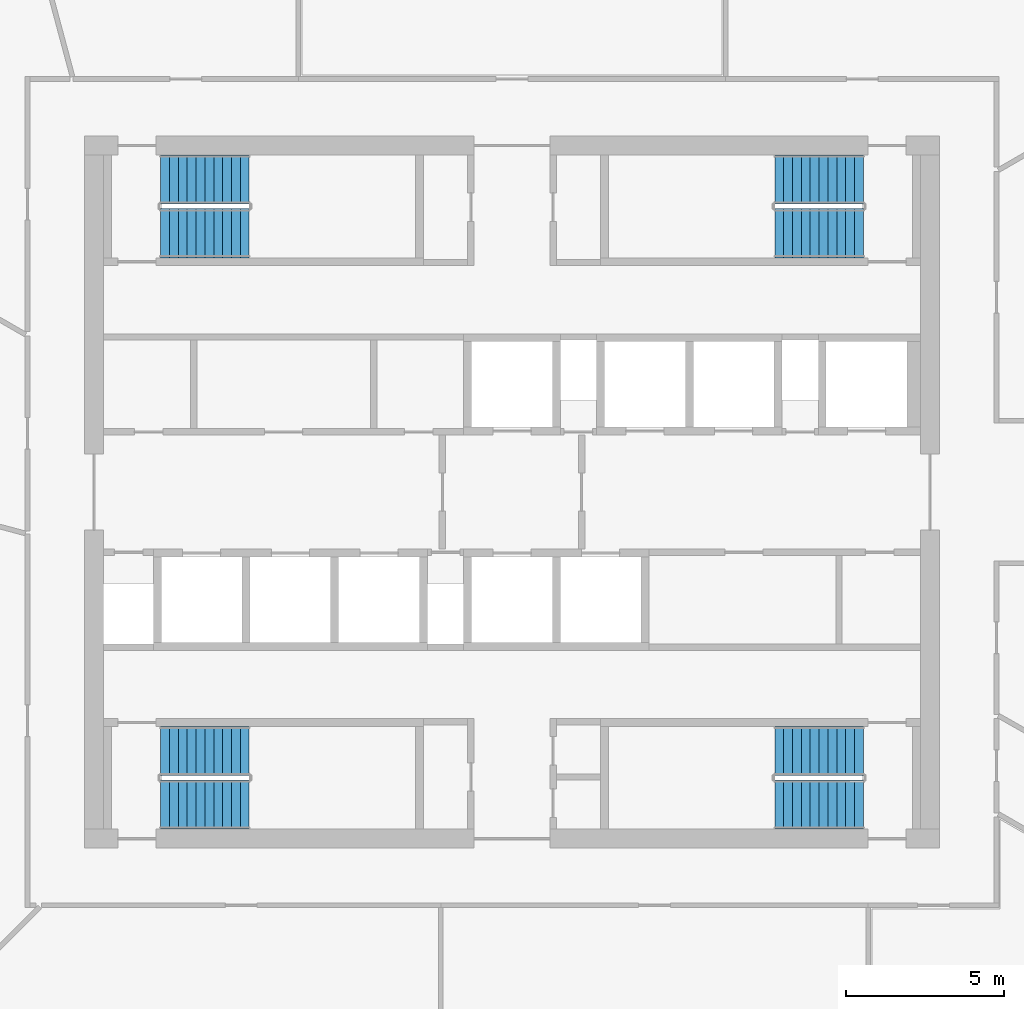
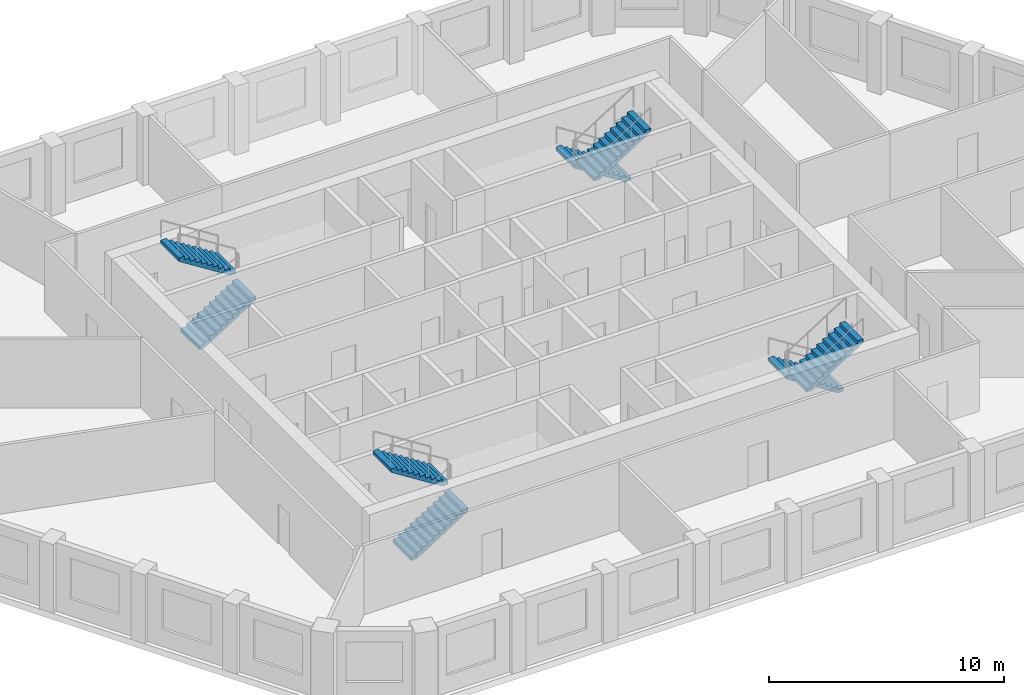
# One storey, part 7 of 10: 8 stair flights, 4 elements without a shape of their own.
"""IFC4 building model written with IfcOpenShell, lengths in metres."""

from ifc_helpers import new_model, si_unit, direction, frame, origin, place, context, subcontext, project, spatial, polyline, outline, extrude, material, type_object, element, aggregate, save


model = new_model("IFC4")

# Units and contexts
model_context = context("Model", 3, precision=1e-05, world=origin(), true_north=direction((0.0, 1.0)))
body_context = subcontext(model_context, "Body", "Model", "MODEL_VIEW")
ifc_project = project(units=[si_unit("LENGTHUNIT", "METRE"), si_unit("AREAUNIT", "SQUARE_METRE"), si_unit("VOLUMEUNIT", "CUBIC_METRE"), si_unit("PLANEANGLEUNIT", "RADIAN"), si_unit("MASSUNIT", "GRAM", prefix="KILO")], contexts=[model_context])

# Site, building, storey
site_placement = place(None, origin())
site = spatial("IfcSite", under=ifc_project, at=site_placement, CompositionType="ELEMENT")
building_placement = place(site_placement, origin())
building = spatial("IfcBuilding", under=site, at=building_placement, Name="Dhurran Vertical Campus", CompositionType="ELEMENT")
storey_placement = place(building_placement, frame((0.0, 0.0, 250.800048828125)))
storey = spatial("IfcBuildingStorey", under=building, at=storey_placement, Name="L62", CompositionType="ELEMENT", Elevation=250.800048828125)

# Stair, stair flights
ifc_material_1 = material(Name="Concrete C40/50", Category="concrete")
stair_type = type_object("IfcStairType", Name="co-ST-CORE", PredefinedType="HALF_TURN_STAIR", material=ifc_material_1)
stair_1_placement = place(storey_placement, origin())
stair_1 = element("IfcStair", 1, at=stair_1_placement, inside=storey, type_object=stair_type, Name="L62 Protected exit stair ST1", PredefinedType="HALF_TURN_STAIR")
ifc_material_2 = material(Name="Concrete C40/50", Category="concrete")
stair_flight_type = type_object("IfcStairFlightType", Name="co-SFL-RC", PredefinedType="STRAIGHT", material=ifc_material_2)
stair_flight_1_placement = place(storey_placement, frame((-11.10009765625, 8.175048828125, 0.0), z_axis=(0.0, 0.0, 1.0), x_axis=(1.0, 0.0, 0.0)))
stair_flight_1 = element("IfcStairFlight", 2, at=stair_flight_1_placement, type_object=stair_flight_type, Name="ST1 flight 1", NumberOfRisers=11, NumberOfTreads=10, PredefinedType="STRAIGHT", RiserHeight=0.177272727, TreadLength=0.28, context=body_context, shape_type="SweptSolid", body=[
    extrude(outline(polyline([(0.0, 0.0), (0.0, 0.17724609375), (0.280029296875, 0.17724609375), (0.280029296875, 0.3544921875), (0.56005859375, 0.3544921875), (0.56005859375, 0.53173828125), (0.840087890625, 0.53173828125), (0.840087890625, 0.708984375), (1.1201171875, 0.708984375), (1.1201171875, 0.886474609375), (1.39990234375, 0.886474609375), (1.39990234375, 1.063720703125), (1.679931640625, 1.063720703125), (1.679931640625, 1.240966796875), (1.9599609375, 1.240966796875), (1.9599609375, 1.418212890625), (2.239990234375, 1.418212890625), (2.239990234375, 1.595458984375), (2.52001953125, 1.595458984375), (2.52001953125, 1.772705078125), (2.800048828125, 1.772705078125), (2.800048828125, 1.949951171875), (2.800048828125, 1.59521484375), (0.2802734375, 0.0), (0.0, 0.0)])), frame((0.0, 0.77490234375, 0.0), z_axis=(0.0, -1.0, 0.0), x_axis=(1.0, 0.0, 0.0)), (0.0, 0.0, 1.0), 1.550048828125),
])
stair_flight_2_placement = place(storey_placement, frame((-8.300048828125, 9.875, 1.949951171875), z_axis=(0.0, 0.0, 1.0), x_axis=(-1.0, 0.0, 0.0)))
stair_flight_2 = element("IfcStairFlight", 3, at=stair_flight_2_placement, type_object=stair_flight_type, Name="ST1 flight 2", NumberOfRisers=11, NumberOfTreads=10, PredefinedType="STRAIGHT", RiserHeight=0.177272727, TreadLength=0.28, context=body_context, shape_type="SweptSolid", body=[
    extrude(outline(polyline([(0.0, 0.0), (0.0, 0.17724609375), (0.280029296875, 0.17724609375), (0.280029296875, 0.3544921875), (0.56005859375, 0.3544921875), (0.56005859375, 0.53173828125), (0.840087890625, 0.53173828125), (0.840087890625, 0.708984375), (1.1201171875, 0.708984375), (1.1201171875, 0.886474609375), (1.39990234375, 0.886474609375), (1.39990234375, 1.063720703125), (1.679931640625, 1.063720703125), (1.679931640625, 1.240966796875), (1.9599609375, 1.240966796875), (1.9599609375, 1.418212890625), (2.239990234375, 1.418212890625), (2.239990234375, 1.595458984375), (2.52001953125, 1.595458984375), (2.52001953125, 1.772705078125), (2.800048828125, 1.772705078125), (2.800048828125, 1.949951171875), (2.800048828125, 1.59521484375), (0.2802734375, 0.0), (0.0, 0.0)])), frame((0.0, 0.77490234375, 0.0), z_axis=(0.0, -1.0, 0.0), x_axis=(1.0, 0.0, 0.0)), (0.0, 0.0, 1.0), 1.550048828125),
])
aggregate(stair_1, [stair_flight_1, stair_flight_2])

stair_2_placement = place(storey_placement, origin())
stair_2 = element("IfcStair", 4, at=stair_2_placement, inside=storey, type_object=stair_type, Name="L62 Protected exit stair ST2", PredefinedType="HALF_TURN_STAIR")
stair_flight_3_placement = place(storey_placement, frame((11.10009765625, 9.875, 0.0), z_axis=(0.0, 0.0, 1.0), x_axis=(-1.0, 0.0, 0.0)))
stair_flight_3 = element("IfcStairFlight", 5, at=stair_flight_3_placement, type_object=stair_flight_type, Name="ST2 flight 1", NumberOfRisers=11, NumberOfTreads=10, PredefinedType="STRAIGHT", RiserHeight=0.177272727, TreadLength=0.28, context=body_context, shape_type="SweptSolid", body=[
    extrude(outline(polyline([(0.0, 0.0), (0.0, 0.17724609375), (0.280029296875, 0.17724609375), (0.280029296875, 0.3544921875), (0.56005859375, 0.3544921875), (0.56005859375, 0.53173828125), (0.840087890625, 0.53173828125), (0.840087890625, 0.708984375), (1.1201171875, 0.708984375), (1.1201171875, 0.886474609375), (1.39990234375, 0.886474609375), (1.39990234375, 1.063720703125), (1.679931640625, 1.063720703125), (1.679931640625, 1.240966796875), (1.9599609375, 1.240966796875), (1.9599609375, 1.418212890625), (2.239990234375, 1.418212890625), (2.239990234375, 1.595458984375), (2.52001953125, 1.595458984375), (2.52001953125, 1.772705078125), (2.800048828125, 1.772705078125), (2.800048828125, 1.949951171875), (2.800048828125, 1.59521484375), (0.2802734375, 0.0), (0.0, 0.0)])), frame((0.0, 0.77490234375, 0.0), z_axis=(0.0, -1.0, 0.0), x_axis=(1.0, 0.0, 0.0)), (0.0, 0.0, 1.0), 1.550048828125),
])
stair_flight_4_placement = place(storey_placement, frame((8.300048828125, 8.175048828125, 1.949951171875), z_axis=(0.0, 0.0, 1.0), x_axis=(1.0, 0.0, 0.0)))
stair_flight_4 = element("IfcStairFlight", 6, at=stair_flight_4_placement, type_object=stair_flight_type, Name="ST2 flight 2", NumberOfRisers=11, NumberOfTreads=10, PredefinedType="STRAIGHT", RiserHeight=0.177272727, TreadLength=0.28, context=body_context, shape_type="SweptSolid", body=[
    extrude(outline(polyline([(0.0, 0.0), (0.0, 0.17724609375), (0.280029296875, 0.17724609375), (0.280029296875, 0.3544921875), (0.56005859375, 0.3544921875), (0.56005859375, 0.53173828125), (0.840087890625, 0.53173828125), (0.840087890625, 0.708984375), (1.1201171875, 0.708984375), (1.1201171875, 0.886474609375), (1.39990234375, 0.886474609375), (1.39990234375, 1.063720703125), (1.679931640625, 1.063720703125), (1.679931640625, 1.240966796875), (1.9599609375, 1.240966796875), (1.9599609375, 1.418212890625), (2.239990234375, 1.418212890625), (2.239990234375, 1.595458984375), (2.52001953125, 1.595458984375), (2.52001953125, 1.772705078125), (2.800048828125, 1.772705078125), (2.800048828125, 1.949951171875), (2.800048828125, 1.59521484375), (0.2802734375, 0.0), (0.0, 0.0)])), frame((0.0, 0.77490234375, 0.0), z_axis=(0.0, -1.0, 0.0), x_axis=(1.0, 0.0, 0.0)), (0.0, 0.0, 1.0), 1.550048828125),
])
aggregate(stair_2, [stair_flight_3, stair_flight_4])

stair_3_placement = place(storey_placement, origin())
stair_3 = element("IfcStair", 7, at=stair_3_placement, inside=storey, type_object=stair_type, Name="L62 Protected exit stair ST3", PredefinedType="HALF_TURN_STAIR")
stair_flight_5_placement = place(storey_placement, frame((-11.10009765625, -9.875, 0.0), z_axis=(0.0, 0.0, 1.0), x_axis=(1.0, 0.0, 0.0)))
stair_flight_5 = element("IfcStairFlight", 8, at=stair_flight_5_placement, type_object=stair_flight_type, Name="ST3 flight 1", NumberOfRisers=11, NumberOfTreads=10, PredefinedType="STRAIGHT", RiserHeight=0.177272727, TreadLength=0.28, context=body_context, shape_type="SweptSolid", body=[
    extrude(outline(polyline([(0.0, 0.0), (0.0, 0.17724609375), (0.280029296875, 0.17724609375), (0.280029296875, 0.3544921875), (0.56005859375, 0.3544921875), (0.56005859375, 0.53173828125), (0.840087890625, 0.53173828125), (0.840087890625, 0.708984375), (1.1201171875, 0.708984375), (1.1201171875, 0.886474609375), (1.39990234375, 0.886474609375), (1.39990234375, 1.063720703125), (1.679931640625, 1.063720703125), (1.679931640625, 1.240966796875), (1.9599609375, 1.240966796875), (1.9599609375, 1.418212890625), (2.239990234375, 1.418212890625), (2.239990234375, 1.595458984375), (2.52001953125, 1.595458984375), (2.52001953125, 1.772705078125), (2.800048828125, 1.772705078125), (2.800048828125, 1.949951171875), (2.800048828125, 1.59521484375), (0.2802734375, 0.0), (0.0, 0.0)])), frame((0.0, 0.77490234375, 0.0), z_axis=(0.0, -1.0, 0.0), x_axis=(1.0, 0.0, 0.0)), (0.0, 0.0, 1.0), 1.550048828125),
])
stair_flight_6_placement = place(storey_placement, frame((-8.300048828125, -8.175048828125, 1.949951171875), z_axis=(0.0, 0.0, 1.0), x_axis=(-1.0, 0.0, 0.0)))
stair_flight_6 = element("IfcStairFlight", 9, at=stair_flight_6_placement, type_object=stair_flight_type, Name="ST3 flight 2", NumberOfRisers=11, NumberOfTreads=10, PredefinedType="STRAIGHT", RiserHeight=0.177272727, TreadLength=0.28, context=body_context, shape_type="SweptSolid", body=[
    extrude(outline(polyline([(0.0, 0.0), (0.0, 0.17724609375), (0.280029296875, 0.17724609375), (0.280029296875, 0.3544921875), (0.56005859375, 0.3544921875), (0.56005859375, 0.53173828125), (0.840087890625, 0.53173828125), (0.840087890625, 0.708984375), (1.1201171875, 0.708984375), (1.1201171875, 0.886474609375), (1.39990234375, 0.886474609375), (1.39990234375, 1.063720703125), (1.679931640625, 1.063720703125), (1.679931640625, 1.240966796875), (1.9599609375, 1.240966796875), (1.9599609375, 1.418212890625), (2.239990234375, 1.418212890625), (2.239990234375, 1.595458984375), (2.52001953125, 1.595458984375), (2.52001953125, 1.772705078125), (2.800048828125, 1.772705078125), (2.800048828125, 1.949951171875), (2.800048828125, 1.59521484375), (0.2802734375, 0.0), (0.0, 0.0)])), frame((0.0, 0.77490234375, 0.0), z_axis=(0.0, -1.0, 0.0), x_axis=(1.0, 0.0, 0.0)), (0.0, 0.0, 1.0), 1.550048828125),
])
aggregate(stair_3, [stair_flight_5, stair_flight_6])

stair_4_placement = place(storey_placement, origin())
stair_4 = element("IfcStair", 10, at=stair_4_placement, inside=storey, type_object=stair_type, Name="L62 Protected exit stair ST4", PredefinedType="HALF_TURN_STAIR")
stair_flight_7_placement = place(storey_placement, frame((11.10009765625, -8.175048828125, 0.0), z_axis=(0.0, 0.0, 1.0), x_axis=(-1.0, 0.0, 0.0)))
stair_flight_7 = element("IfcStairFlight", 11, at=stair_flight_7_placement, type_object=stair_flight_type, Name="ST4 flight 1", NumberOfRisers=11, NumberOfTreads=10, PredefinedType="STRAIGHT", RiserHeight=0.177272727, TreadLength=0.28, context=body_context, shape_type="SweptSolid", body=[
    extrude(outline(polyline([(0.0, 0.0), (0.0, 0.17724609375), (0.280029296875, 0.17724609375), (0.280029296875, 0.3544921875), (0.56005859375, 0.3544921875), (0.56005859375, 0.53173828125), (0.840087890625, 0.53173828125), (0.840087890625, 0.708984375), (1.1201171875, 0.708984375), (1.1201171875, 0.886474609375), (1.39990234375, 0.886474609375), (1.39990234375, 1.063720703125), (1.679931640625, 1.063720703125), (1.679931640625, 1.240966796875), (1.9599609375, 1.240966796875), (1.9599609375, 1.418212890625), (2.239990234375, 1.418212890625), (2.239990234375, 1.595458984375), (2.52001953125, 1.595458984375), (2.52001953125, 1.772705078125), (2.800048828125, 1.772705078125), (2.800048828125, 1.949951171875), (2.800048828125, 1.59521484375), (0.2802734375, 0.0), (0.0, 0.0)])), frame((0.0, 0.77490234375, 0.0), z_axis=(0.0, -1.0, 0.0), x_axis=(1.0, 0.0, 0.0)), (0.0, 0.0, 1.0), 1.550048828125),
])
stair_flight_8_placement = place(storey_placement, frame((8.300048828125, -9.875, 1.949951171875), z_axis=(0.0, 0.0, 1.0), x_axis=(1.0, 0.0, 0.0)))
stair_flight_8 = element("IfcStairFlight", 12, at=stair_flight_8_placement, type_object=stair_flight_type, Name="ST4 flight 2", NumberOfRisers=11, NumberOfTreads=10, PredefinedType="STRAIGHT", RiserHeight=0.177272727, TreadLength=0.28, context=body_context, shape_type="SweptSolid", body=[
    extrude(outline(polyline([(0.0, 0.0), (0.0, 0.17724609375), (0.280029296875, 0.17724609375), (0.280029296875, 0.3544921875), (0.56005859375, 0.3544921875), (0.56005859375, 0.53173828125), (0.840087890625, 0.53173828125), (0.840087890625, 0.708984375), (1.1201171875, 0.708984375), (1.1201171875, 0.886474609375), (1.39990234375, 0.886474609375), (1.39990234375, 1.063720703125), (1.679931640625, 1.063720703125), (1.679931640625, 1.240966796875), (1.9599609375, 1.240966796875), (1.9599609375, 1.418212890625), (2.239990234375, 1.418212890625), (2.239990234375, 1.595458984375), (2.52001953125, 1.595458984375), (2.52001953125, 1.772705078125), (2.800048828125, 1.772705078125), (2.800048828125, 1.949951171875), (2.800048828125, 1.59521484375), (0.2802734375, 0.0), (0.0, 0.0)])), frame((0.0, 0.77490234375, 0.0), z_axis=(0.0, -1.0, 0.0), x_axis=(1.0, 0.0, 0.0)), (0.0, 0.0, 1.0), 1.550048828125),
])
aggregate(stair_4, [stair_flight_7, stair_flight_8])

save(model, "model.ifc")
